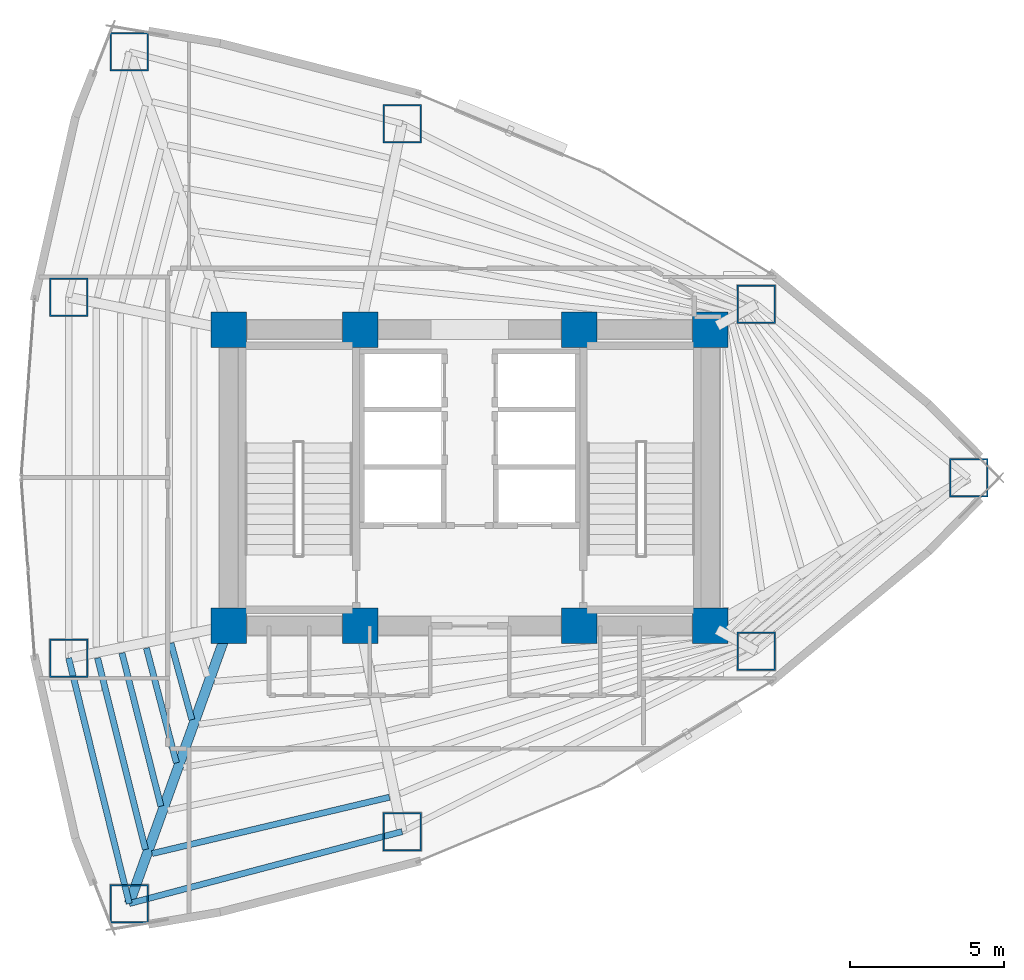
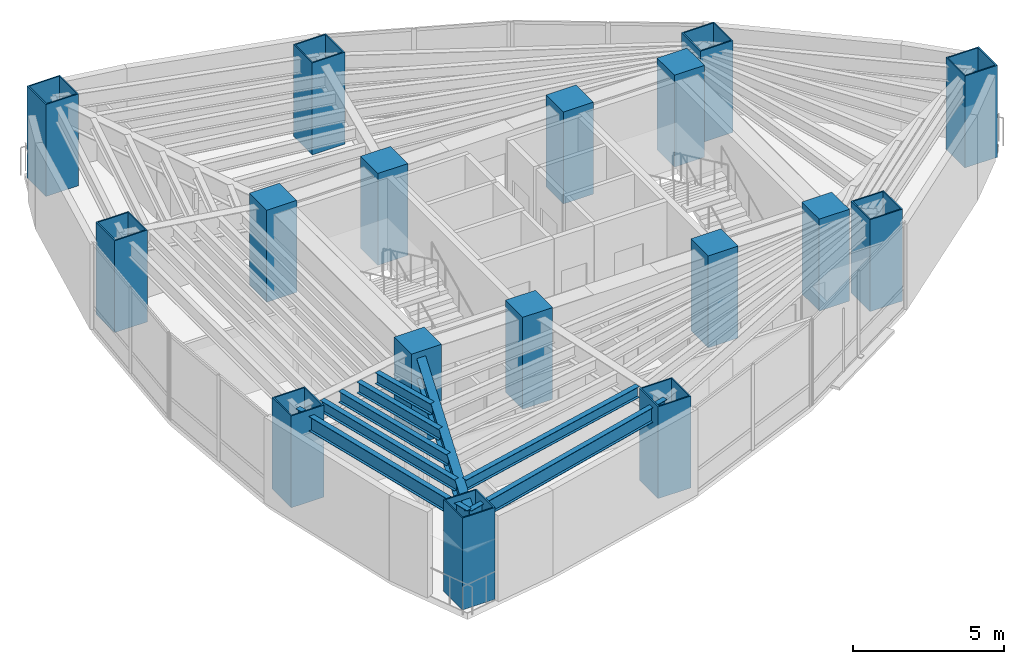
# One storey, part 1 of 16: 17 columns, 8 beams.
"""IFC4 building model written with IfcOpenShell, lengths in metres."""

from ifc_helpers import new_model, si_unit, direction, frame, origin, origin_2d, place, context, subcontext, project, spatial, rectangle, hollow_rectangle, i_section, extrude, material, material_profile, profile_set, type_object, element, save


model = new_model("IFC4")

# Units and contexts
model_context = context("Model", 3, precision=1e-05, world=origin(), true_north=direction((0.0, 1.0)))
body_context = subcontext(model_context, "Body", "Model", "MODEL_VIEW")
ifc_project = project(units=[si_unit("LENGTHUNIT", "METRE"), si_unit("AREAUNIT", "SQUARE_METRE"), si_unit("VOLUMEUNIT", "CUBIC_METRE"), si_unit("PLANEANGLEUNIT", "RADIAN"), si_unit("MASSUNIT", "GRAM", prefix="KILO")], contexts=[model_context])

# Site, building, storey
site_placement = place(None, origin())
site = spatial("IfcSite", under=ifc_project, at=site_placement, CompositionType="ELEMENT")
building_placement = place(site_placement, origin())
building = spatial("IfcBuilding", under=site, at=building_placement, Name="Menara Vayukalpa", CompositionType="ELEMENT")
storey_placement = place(building_placement, frame((0.0, 0.0, 75.9599609375)))
storey = spatial("IfcBuildingStorey", under=building, at=storey_placement, Name="L18", CompositionType="ELEMENT", Elevation=75.9599609375)

# Columns
ifc_material_1 = material(Name="Concrete C80/95", Category="concrete")
ifc_material_profile_1 = material_profile(ifc_material_1, rectangle(XDim=1.14990234375, YDim=1.14990234375, at=origin_2d()), Name="RC 1150x1150")
ifc_profile_set_1 = profile_set([ifc_material_profile_1], Name="Concrete C80/95")
column_type_1 = type_object("IfcColumnType", Name="COL-CC1", PredefinedType="COLUMN", material=ifc_profile_set_1)
for number, where, z_axis, x_axis, name in (
    (1, (17.800048828125, 17.199951171875, 0.0), (0.0, 0.0, 1.0), (1.0, 0.0, 0.0), "L18 Core Pilaster Column CC1"),
    (2, (22.050048828125, 17.199951171875, 0.0), (0.0, 0.0, 1.0), (1.0, 0.0, 0.0), "L18 Core Pilaster Column CC2"),
    (3, (29.14990234375, 17.199951171875, 0.0), (0.0, 0.0, 1.0), (1.0, 0.0, 0.0), "L18 Core Pilaster Column CC3"),
    (4, (33.39990234375, 17.199951171875, 0.0), (0.0, 0.0, 1.0), (1.0, 0.0, 0.0), "L18 Core Pilaster Column CC4"),
    (5, (17.800048828125, 26.800048828125, 0.0), (0.0, 0.0, 1.0), (1.0, 0.0, 0.0), "L18 Core Pilaster Column CC5"),
    (6, (22.050048828125, 26.800048828125, 0.0), (0.0, 0.0, 1.0), (1.0, 0.0, 0.0), "L18 Core Pilaster Column CC6"),
    (7, (29.14990234375, 26.800048828125, 0.0), (0.0, 0.0, 1.0), (1.0, 0.0, 0.0), "L18 Core Pilaster Column CC7"),
    (8, (33.39990234375, 26.800048828125, 0.0), (0.0, 0.0, 1.0), (1.0, 0.0, 0.0), "L18 Core Pilaster Column CC8"),
):
    element("IfcColumn", number, at=place(storey_placement, frame(where, z_axis=z_axis, x_axis=x_axis)), inside=storey, type_object=column_type_1, Name=name, PredefinedType="COLUMN", context=body_context, shape_type="SweptSolid", body=[
        extrude(rectangle(XDim=1.14990234375, YDim=1.14990234375, at=origin_2d()), origin(), (0.0, 0.0, 1.0), 3.719970703125),
    ])
ifc_material_2 = material(Name="Steel S460", Category="steel")
ifc_material_profile_2 = material_profile(ifc_material_2, hollow_rectangle(XDim=1.25, YDim=1.25, WallThickness=0.050048828125, at=origin_2d()), Name="BOX 1250x1250x50")
ifc_profile_set_2 = profile_set([ifc_material_profile_2], Name="Steel S460")
column_type_2 = type_object("IfcColumnType", Name="COL-MC2", PredefinedType="COLUMN", material=ifc_profile_set_2)
for number, where, z_axis, x_axis, name in (
    (9, (41.761962890625, 22.0, 0.0), (0.0, 0.0, 1.0), (1.0, 0.0, 0.0), "L18 Perimeter Mega Column P01"),
    (10, (34.88671875, 27.62158203125, 0.0), (0.0, 0.0, 1.0), (1.0, 0.0, 0.0), "L18 Perimeter Mega Column P02"),
    (11, (23.408203125, 33.46728515625, 0.0), (0.0, 0.0, 1.0), (1.0, 0.0, 0.0), "L18 Perimeter Mega Column P03"),
    (12, (14.569091796875, 35.79736328125, 0.0), (0.0, 0.0, 1.0), (1.0, 0.0, 0.0), "L18 Perimeter Mega Column P04"),
    (13, (12.606689453125, 27.845703125, 0.0), (0.0, 0.0, 1.0), (1.0, 0.0, 0.0), "L18 Perimeter Mega Column P05"),
    (14, (12.606689453125, 16.154296875, 0.0), (0.0, 0.0, 1.0), (1.0, 0.0, 0.0), "L18 Perimeter Mega Column P06"),
    (15, (14.569091796875, 8.20263671875, 0.0), (0.0, 0.0, 1.0), (1.0, 0.0, 0.0), "L18 Perimeter Mega Column P07"),
    (16, (23.408203125, 10.53271484375, 0.0), (0.0, 0.0, 1.0), (1.0, 0.0, 0.0), "L18 Perimeter Mega Column P08"),
    (17, (34.88671875, 16.37841796875, 0.0), (0.0, 0.0, 1.0), (1.0, 0.0, 0.0), "L18 Perimeter Mega Column P09"),
):
    element("IfcColumn", number, at=place(storey_placement, frame(where, z_axis=z_axis, x_axis=x_axis)), inside=storey, type_object=column_type_2, Name=name, PredefinedType="COLUMN", context=body_context, shape_type="SweptSolid", body=[
        extrude(hollow_rectangle(XDim=1.25, YDim=1.25, WallThickness=0.050048828125, at=origin_2d()), origin(), (0.0, 0.0, 1.0), 3.719970703125),
    ])

# Beams
ifc_material_3 = material(Name="Steel S355", Category="steel")
ifc_material_profile_3 = material_profile(ifc_material_3, i_section(OverallWidth=0.320068359375, OverallDepth=0.85009765625, WebThickness=0.01611328125, FlangeThickness=0.030029296875, at=origin_2d()), Name="WF 850x320x16x30")
ifc_profile_set_3 = profile_set([ifc_material_profile_3], Name="Steel S355")
beam_type_1 = type_object("IfcBeamType", Name="BM-PG2", PredefinedType="BEAM", material=ifc_profile_set_3)
beam_1_placement = place(storey_placement, frame((17.715576171875, 16.964599609375, 3.044921875), z_axis=(-0.337975542909, -0.941154892882, 0.0), x_axis=(0.941154892882, -0.337975542909, 0.0)))
element("IfcBeam", 18, at=beam_1_placement, inside=storey, type_object=beam_type_1, Name="L18 Primary Radial Girder RG07", PredefinedType="BEAM", context=body_context, shape_type="SweptSolid", body=[
    extrude(i_section(OverallWidth=0.320068359375, OverallDepth=0.85009765625, WebThickness=0.01611328125, FlangeThickness=0.030029296875, at=origin_2d()), origin(), (0.0, 0.0, 1.0), 9.309814453125),
])
ifc_material_4 = material(Name="Steel S355", Category="steel")
ifc_material_profile_4 = material_profile(ifc_material_4, i_section(OverallWidth=0.199951171875, OverallDepth=0.449951171875, WebThickness=0.009033203125, FlangeThickness=0.013916015625, at=origin_2d()), Name="WF 450x200x9x14")
ifc_profile_set_4 = profile_set([ifc_material_profile_4], Name="Steel S355")
beam_type_2 = type_object("IfcBeamType", Name="BM-SJ1", PredefinedType="JOIST", material=ifc_profile_set_4)
beam_2_placement = place(storey_placement, frame((15.919921875, 16.63818359375, 3.2451171875), z_axis=(0.263888952397, -0.964553067904, 0.0), x_axis=(0.964553067904, 0.263888952397, 0.0)))
element("IfcBeam", 19, at=beam_2_placement, inside=storey, type_object=beam_type_2, Name="L18 Secondary Floor Joist SJ06-2", PredefinedType="JOIST", context=body_context, shape_type="SweptSolid", body=[
    extrude(i_section(OverallWidth=0.199951171875, OverallDepth=0.449951171875, WebThickness=0.009033203125, FlangeThickness=0.013916015625, at=origin_2d()), origin(), (0.0, 0.0, 1.0), 2.570068359375),
])
beam_3_placement = place(storey_placement, frame((15.126220703125, 16.478271484375, 3.2451171875), z_axis=(0.252458083783, -0.967607831682, 0.0), x_axis=(0.967607831682, 0.252458083783, 0.0)))
element("IfcBeam", 20, at=beam_3_placement, inside=storey, type_object=beam_type_2, Name="L18 Secondary Floor Joist SJ06-3", PredefinedType="JOIST", context=body_context, shape_type="SweptSolid", body=[
    extrude(i_section(OverallWidth=0.199951171875, OverallDepth=0.449951171875, WebThickness=0.009033203125, FlangeThickness=0.013916015625, at=origin_2d()), origin(), (0.0, 0.0, 1.0), 3.844970703125),
])
beam_4_placement = place(storey_placement, frame((14.33349609375, 16.318603515625, 3.2451171875), z_axis=(0.246281114503, -0.969198438215, 0.0), x_axis=(0.969198438215, 0.246281114503, 0.0)))
element("IfcBeam", 21, at=beam_4_placement, inside=storey, type_object=beam_type_2, Name="L18 Secondary Floor Joist SJ06-4", PredefinedType="JOIST", context=body_context, shape_type="SweptSolid", body=[
    extrude(i_section(OverallWidth=0.199951171875, OverallDepth=0.449951171875, WebThickness=0.009033203125, FlangeThickness=0.013916015625, at=origin_2d()), origin(), (0.0, 0.0, 1.0), 5.1201171875),
])
beam_5_placement = place(storey_placement, frame((13.541015625, 16.158935546875, 3.2451171875), z_axis=(0.242481731849, -0.970155971852, 0.0), x_axis=(0.970155971852, 0.242481731849, 0.0)))
element("IfcBeam", 22, at=beam_5_placement, inside=storey, type_object=beam_type_2, Name="L18 Secondary Floor Joist SJ06-5", PredefinedType="JOIST", context=body_context, shape_type="SweptSolid", body=[
    extrude(i_section(OverallWidth=0.199951171875, OverallDepth=0.449951171875, WebThickness=0.009033203125, FlangeThickness=0.013916015625, at=origin_2d()), origin(), (0.0, 0.0, 1.0), 6.3955078125),
])
beam_6_placement = place(storey_placement, frame((15.310546875, 9.8212890625, 3.2451171875), z_axis=(0.97293602969, 0.231074624596, 0.0), x_axis=(-0.231074624596, 0.97293602969, 0.0)))
element("IfcBeam", 23, at=beam_6_placement, inside=storey, type_object=beam_type_2, Name="L18 Secondary Floor Joist SJ07-5", PredefinedType="JOIST", context=body_context, shape_type="SweptSolid", body=[
    extrude(i_section(OverallWidth=0.199951171875, OverallDepth=0.449951171875, WebThickness=0.009033203125, FlangeThickness=0.013916015625, at=origin_2d()), origin(), (0.0, 0.0, 1.0), 7.90087890625),
])
ifc_material_5 = material(Name="Steel S355", Category="steel")
ifc_material_profile_5 = material_profile(ifc_material_5, i_section(OverallWidth=0.199951171875, OverallDepth=0.60009765625, WebThickness=0.010986328125, FlangeThickness=0.01708984375, at=origin_2d()), Name="WF 600x200x11x17")
ifc_profile_set_5 = profile_set([ifc_material_profile_5], Name="Steel S355")
beam_type_3 = type_object("IfcBeamType", Name="BM-SP1", PredefinedType="SPANDREL", material=ifc_profile_set_5)
beam_7_placement = place(storey_placement, frame((12.606689453125, 16.154296875, 3.169921875), z_axis=(0.239602739234, -0.970871014786, 0.0), x_axis=(0.970871014786, 0.239602739234, 0.0)))
element("IfcBeam", 24, at=beam_7_placement, inside=storey, type_object=beam_type_3, Name="L18 Perimeter Spandrel Beam SP06", PredefinedType="SPANDREL", context=body_context, shape_type="SweptSolid", body=[
    extrude(i_section(OverallWidth=0.199951171875, OverallDepth=0.60009765625, WebThickness=0.010986328125, FlangeThickness=0.01708984375, at=origin_2d()), origin(), (0.0, 0.0, 1.0), 8.190185546875),
])
beam_8_placement = place(storey_placement, frame((14.569091796875, 8.20263671875, 3.169921875), z_axis=(0.966966857313, 0.254902131921, 0.0), x_axis=(-0.254902131921, 0.966966857313, 0.0)))
element("IfcBeam", 25, at=beam_8_placement, inside=storey, type_object=beam_type_3, Name="L18 Perimeter Spandrel Beam SP07", PredefinedType="SPANDREL", context=body_context, shape_type="SweptSolid", body=[
    extrude(i_section(OverallWidth=0.199951171875, OverallDepth=0.60009765625, WebThickness=0.010986328125, FlangeThickness=0.01708984375, at=origin_2d()), origin(), (0.0, 0.0, 1.0), 9.14111328125),
])

save(model, "model.ifc")
